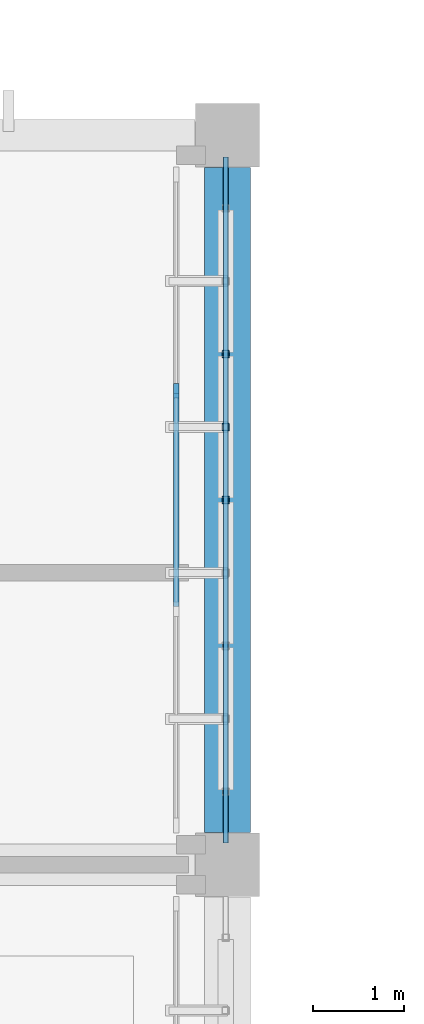
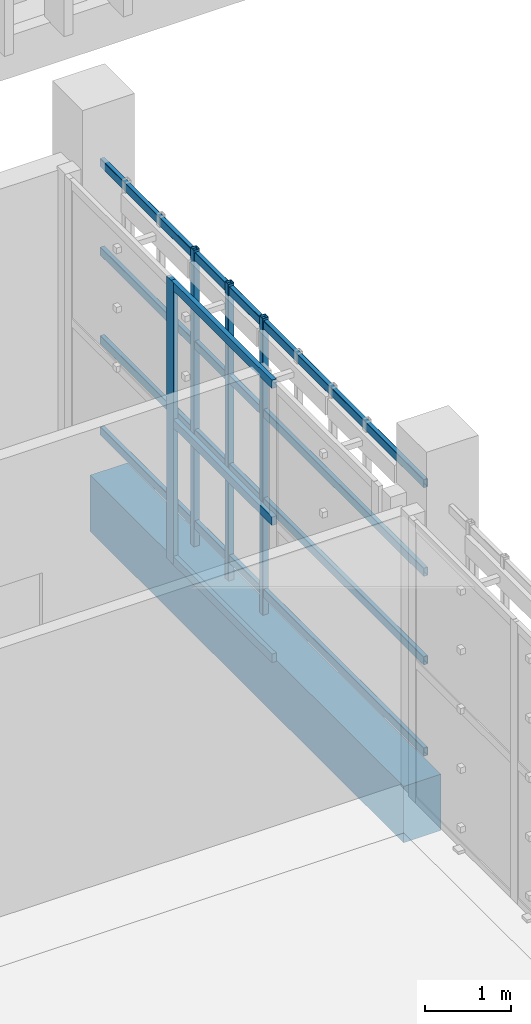
# One storey, part 45 of 117: 11 members, 1 beam, 1 element without a shape of its own.
"""IFC4 building model written with IfcOpenShell, lengths in metres."""

from ifc_helpers import new_model, si_unit, direction, frame, origin, origin_2d, place, context, subcontext, project, spatial, rectangle, hollow_rectangle, extrude, material, layer, layer_set, material_profile, profile_set, type_object, element, aggregate, save


model = new_model("IFC4")

# Units and contexts
model_context = context("Model", 3, precision=1e-05, world=origin(), true_north=direction((0.0, 1.0)))
body_context = subcontext(model_context, "Body", "Model", "MODEL_VIEW")
ifc_project = project(units=[si_unit("LENGTHUNIT", "METRE"), si_unit("AREAUNIT", "SQUARE_METRE"), si_unit("VOLUMEUNIT", "CUBIC_METRE"), si_unit("PLANEANGLEUNIT", "RADIAN"), si_unit("MASSUNIT", "GRAM", prefix="KILO")], contexts=[model_context])

# Site, building, storey
site_placement = place(None, origin())
site = spatial("IfcSite", under=ifc_project, at=site_placement, CompositionType="ELEMENT")
building_placement = place(site_placement, origin())
building = spatial("IfcBuilding", under=site, at=building_placement, Name="Jelvoka-Kovrelna Polytechnic", CompositionType="ELEMENT")
storey_placement = place(building_placement, origin())
storey = spatial("IfcBuildingStorey", under=building, at=storey_placement, Name="L01", CompositionType="ELEMENT", Elevation=0.0)

# Beam
ifc_material_1 = material(Name="Concrete C40/50", Category="concrete")
ifc_material_profile_1 = material_profile(ifc_material_1, rectangle(XDim=0.5, YDim=0.800048828125, at=origin_2d()), Name="RC 500x800")
ifc_profile_set_1 = profile_set([ifc_material_profile_1], Name="Concrete C40/50")
beam_type = type_object("IfcBeamType", Name="Beam_RC_500x800", PredefinedType="BEAM", material=ifc_profile_set_1)
beam_placement = place(storey_placement, frame((112.0, 40.35498046875, -0.804931640625), z_axis=(0.0, 1.0, 0.0), x_axis=(-1.0, 0.0, 0.0)))
element("IfcBeam", 1, at=beam_placement, inside=storey, type_object=beam_type, Name="L01 beam 0401", PredefinedType="BEAM", context=body_context, shape_type="SweptSolid", body=[
    extrude(rectangle(XDim=0.5, YDim=0.800048828125, at=origin_2d()), origin(), (0.0, 0.0, 1.0), 7.2900390625),
])

# Members
ifc_material_2 = material(Name="Structural steel S355J2H", Category="steel")
ifc_material_profile_2 = material_profile(ifc_material_2, hollow_rectangle(XDim=0.06005859375, YDim=0.1201171875, WallThickness=0.0048828125, InnerFilletRadius=0.0048828125, OuterFilletRadius=0.007568359375, at=origin_2d()), Name="120x60x5.0 RHS")
ifc_profile_set_2 = profile_set([ifc_material_profile_2], Name="Structural steel S355J2H")
member_type_1 = type_object("IfcMemberType", Name="Member_Strut_RHS120", PredefinedType="STRUT", material=ifc_profile_set_2)
for number, where, z_axis, x_axis, name in (
    (2, (111.97998046875, 40.239990234375, 0.080078125), (0.0, 1.0, 0.0), (-1.0, 0.0, 0.0), "L01 terracotta screen horizontal strut 0118"),
    (3, (111.97998046875, 40.239990234375, 1.37548828125), (0.0, 1.0, 0.0), (-1.0, 0.0, 0.0), "L01 terracotta screen horizontal strut 0119"),
    (4, (111.97998046875, 40.239990234375, 2.6328125), (0.0, 1.0, 0.0), (-1.0, 0.0, 0.0), "L01 terracotta screen horizontal strut 0120"),
    (5, (111.97998046875, 40.239990234375, 3.889892578125), (0.0, 1.0, 0.0), (-1.0, 0.0, 0.0), "L01 terracotta screen horizontal strut 0121"),
):
    element("IfcMember", number, at=place(storey_placement, frame(where, z_axis=z_axis, x_axis=x_axis)), inside=storey, type_object=member_type_1, Name=name, PredefinedType="STRUT", context=body_context, shape_type="SweptSolid", body=[
        extrude(hollow_rectangle(XDim=0.06005859375, YDim=0.1201171875, WallThickness=0.0048828125, InnerFilletRadius=0.0048828125, OuterFilletRadius=0.007568359375, at=origin_2d()), origin(), (0.0, 0.0, 1.0), 7.52001953125),
    ])
ifc_material_3 = material(Name="Structural steel S355J2H", Category="steel")
ifc_material_profile_3 = material_profile(ifc_material_3, hollow_rectangle(XDim=0.080078125, YDim=0.080078125, WallThickness=0.0048828125, InnerFilletRadius=0.0048828125, OuterFilletRadius=0.007568359375, at=origin_2d()), Name="80x80x5.0 SHS")
ifc_profile_set_3 = profile_set([ifc_material_profile_3], Name="Structural steel S355J2H")
member_type_2 = type_object("IfcMemberType", Name="Member_Strut_SHS80", PredefinedType="STRUT", material=ifc_profile_set_3)
for number, where, z_axis, x_axis, name in (
    (6, (111.97998046875, 44.0, -0.22998046875), (0.0, 0.0, 1.0), (1.0, 0.0, 0.0), "L01 terracotta lattice vertical rib 0126"),
    (7, (111.97998046875, 44.800048828125, -0.22998046875), (0.0, 0.0, 1.0), (1.0, 0.0, 0.0), "L01 terracotta lattice vertical rib 0127"),
    (8, (111.97998046875, 45.60009765625, -0.22998046875), (0.0, 0.0, 1.0), (1.0, 0.0, 0.0), "L01 terracotta lattice vertical rib 0128"),
):
    element("IfcMember", number, at=place(storey_placement, frame(where, z_axis=z_axis, x_axis=x_axis)), inside=storey, type_object=member_type_2, Name=name, PredefinedType="STRUT", context=body_context, shape_type="SweptSolid", body=[
        extrude(hollow_rectangle(XDim=0.080078125, YDim=0.080078125, WallThickness=0.0048828125, InnerFilletRadius=0.0048828125, OuterFilletRadius=0.007568359375, at=origin_2d()), origin(), (0.0, 0.0, 1.0), 4.2099609375),
    ])

# Curtain wall, members
ifc_material_4 = material(Name="Anodised aluminium 6063-T6", Category="aluminium")
ifc_layer = layer(ifc_material_4, 0.159912109375)
ifc_layer_set = layer_set([ifc_layer], Name="Anodised aluminium 6063-T6")
curtain_wall_type = type_object("IfcCurtainWallType", Name="CW_Recessed_A", PredefinedType="NOTDEFINED", material=ifc_layer_set)
curtain_wall_placement = place(storey_placement, origin())
curtain_wall = element("IfcCurtainWall", 9, at=curtain_wall_placement, inside=storey, type_object=curtain_wall_type, Name="L01 glazed curtain wall 014", PredefinedType="NOTDEFINED")
ifc_material_5 = material(Name="Anodised aluminium 6063-T6", Category="aluminium")
ifc_material_profile_4 = material_profile(ifc_material_5, rectangle(XDim=0.06005859375, YDim=0.159912109375, at=origin_2d()), Name="ALU 60x160")
ifc_profile_set_4 = profile_set([ifc_material_profile_4], Name="Anodised aluminium 6063-T6")
member_type_3 = type_object("IfcMemberType", Name="Mullion_M-01", PredefinedType="MULLION", material=ifc_profile_set_4)
member_1_placement = place(storey_placement, frame((111.43994140625, 45.199951171875, -0.02490234375), z_axis=(0.0, 0.0, 1.0), x_axis=(1.0, 0.0, 0.0)))
member_1 = element("IfcMember", 10, at=member_1_placement, type_object=member_type_3, Name="CW-01 mullion 2", PredefinedType="MULLION", context=body_context, shape_type="SweptSolid", body=[
    extrude(rectangle(XDim=0.06005859375, YDim=0.159912109375, at=origin_2d()), origin(), (0.0, 0.0, 1.0), 4.0),
])
ifc_material_6 = material(Name="Anodised aluminium 6063-T6", Category="aluminium")
ifc_material_profile_5 = material_profile(ifc_material_6, rectangle(XDim=0.06005859375, YDim=0.1201171875, at=origin_2d()), Name="ALU 60x120")
ifc_profile_set_5 = profile_set([ifc_material_profile_5], Name="Anodised aluminium 6063-T6")
member_type_4 = type_object("IfcMemberType", Name="Transom_T-01", PredefinedType="USERDEFINED", material=ifc_profile_set_5)
member_2_placement = place(storey_placement, frame((111.43994140625, 45.169921875, 0.030029296875), z_axis=(0.0, -1.0, 0.0), x_axis=(1.0, 0.0, 0.0)))
member_2 = element("IfcMember", 11, at=member_2_placement, type_object=member_type_4, Name="CW-01 transom 2.1", ObjectType="TRANSOM", PredefinedType="USERDEFINED", context=body_context, shape_type="SweptSolid", body=[
    extrude(rectangle(XDim=0.06005859375, YDim=0.1201171875, at=origin_2d()), origin(), (0.0, 0.0, 1.0), 2.33984375),
])
member_3_placement = place(storey_placement, frame((111.43994140625, 45.169921875, 1.97509765625), z_axis=(0.0, -1.0, 0.0), x_axis=(1.0, 0.0, 0.0)))
member_3 = element("IfcMember", 12, at=member_3_placement, type_object=member_type_4, Name="CW-01 transom 2.2", ObjectType="TRANSOM", PredefinedType="USERDEFINED", context=body_context, shape_type="SweptSolid", body=[
    extrude(rectangle(XDim=0.06005859375, YDim=0.1201171875, at=origin_2d()), origin(), (0.0, 0.0, 1.0), 2.33984375),
])
member_4_placement = place(storey_placement, frame((111.43994140625, 45.169921875, 3.919921875), z_axis=(0.0, -1.0, 0.0), x_axis=(1.0, 0.0, 0.0)))
member_4 = element("IfcMember", 13, at=member_4_placement, type_object=member_type_4, Name="CW-01 transom 2.3", ObjectType="TRANSOM", PredefinedType="USERDEFINED", context=body_context, shape_type="SweptSolid", body=[
    extrude(rectangle(XDim=0.06005859375, YDim=0.1201171875, at=origin_2d()), origin(), (0.0, 0.0, 1.0), 2.33984375),
])
aggregate(curtain_wall, [member_1, member_2, member_3, member_4])

save(model, "model.ifc")
